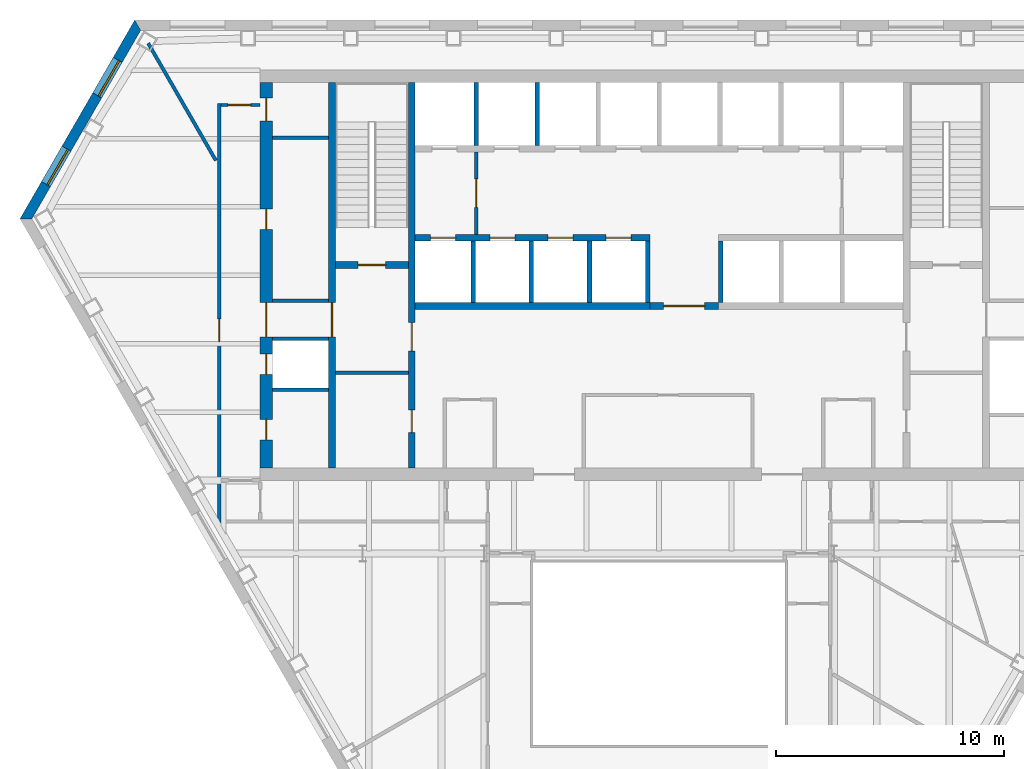
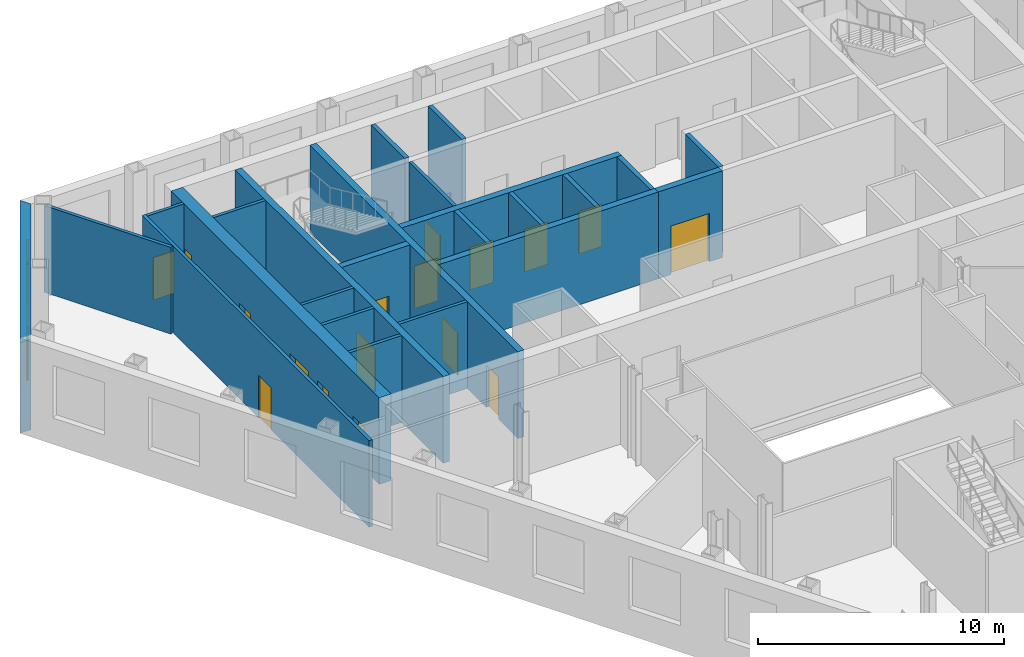
# One storey, part 6 of 11: 24 walls, 17 doors, 2 windows, 19 openings.
"""IFC4 building model written with IfcOpenShell, lengths in metres."""

from ifc_helpers import new_model, si_unit, direction, frame, frame_2d, origin, place, context, subcontext, project, spatial, polyline, rectangle, outline, extrude, material, layer, layer_set, type_object, element, fill, save


model = new_model("IFC4")

# Units and contexts
model_context = context("Model", 3, precision=1e-05, world=origin(), true_north=direction((0.0, 1.0)))
body_context = subcontext(model_context, "Body", "Model", "MODEL_VIEW")
ifc_project = project(units=[si_unit("LENGTHUNIT", "METRE"), si_unit("AREAUNIT", "SQUARE_METRE"), si_unit("VOLUMEUNIT", "CUBIC_METRE"), si_unit("PLANEANGLEUNIT", "RADIAN"), si_unit("MASSUNIT", "GRAM", prefix="KILO")], contexts=[model_context])

# Site, building, storey
site_placement = place(None, origin())
site = spatial("IfcSite", under=ifc_project, at=site_placement, CompositionType="ELEMENT")
building_placement = place(site_placement, origin())
building = spatial("IfcBuilding", under=site, at=building_placement, Name="Njiva Tower", CompositionType="ELEMENT")
storey_placement = place(building_placement, frame((0.0, 0.0, 106.8)))
storey = spatial("IfcBuildingStorey", under=building, at=storey_placement, Name="L22", CompositionType="ELEMENT", Elevation=106.8)

# Walls
ifc_material_1 = material(Name="Blockwork", Category="masonry")
ifc_layer_1 = layer(ifc_material_1, 0.15)
ifc_layer_set_1 = layer_set([ifc_layer_1], Name="Blockwork")
wall_type_1 = type_object("IfcWallType", Name="WT1 Compartment partition 150", PredefinedType="PARTITIONING", material=ifc_layer_set_1)
wall_1_placement = place(storey_placement, frame((-14.2, 4.725, 0.0), z_axis=(0.0, 0.0, 1.0), x_axis=(1.0, 0.0, 0.0)))
element("IfcWall", 1, at=wall_1_placement, inside=storey, type_object=wall_type_1, Name="Room wall A", PredefinedType="PARTITIONING", context=body_context, shape_type="SweptSolid", body=[
    extrude(rectangle(XDim=3.2, YDim=0.15, at=frame_2d((1.6, 0.0))), origin(), (0.0, 0.0, 1.0), 4.3),
])
wall_2_placement = place(storey_placement, frame((-16.95, 15.0294, 0.0), z_axis=(0.0, 0.0, 1.0), x_axis=(1.0, 0.0, 0.0)))
element("IfcWall", 2, at=wall_2_placement, inside=storey, type_object=wall_type_1, Name="Partition strip W10", PredefinedType="PARTITIONING", context=body_context, shape_type="SweptSolid", body=[
    extrude(rectangle(XDim=2.45, YDim=0.15, at=frame_2d((1.225, 0.0))), origin(), (0.0, 0.0, 1.0), 4.3),
])

# Wall, openings, doors
ifc_material_2 = material(Name="Concrete C40/50", Category="concrete")
ifc_layer_2 = layer(ifc_material_2, 0.3)
ifc_layer_set_2 = layer_set([ifc_layer_2], Name="Concrete C40/50")
wall_type_2 = type_object("IfcWallType", Name="WT10 Stair enclosure wall 300", PredefinedType="SHEAR", material=ifc_layer_set_2)
wall_3_placement = place(storey_placement, frame((-10.85, 0.55, 0.0), z_axis=(0.0, 0.0, 1.0), x_axis=(0.0, 1.0, 0.0)))
wall_3 = element("IfcWall", 3, at=wall_3_placement, inside=storey, type_object=wall_type_2, Name="Stair wall west inner", PredefinedType="SHEAR", context=body_context, shape_type="SweptSolid", body=[
    extrude(rectangle(XDim=16.9, YDim=0.3, at=frame_2d((8.45, 0.0))), origin(), (0.0, 0.0, 1.0), 4.3),
])
opening_1_placement = place(wall_3_placement, frame((5.125, 0.0, 0.0)))
opening_1 = element("IfcOpeningElement", 4, at=opening_1_placement, cuts=wall_3, Name="Opening S07-D914", PredefinedType="OPENING", context=body_context, shape_type="SweptSolid", body=[
    extrude(rectangle(XDim=1.25, YDim=2.1, at=frame_2d((0.625, 1.05))), frame((0.0, 0.16, 0.0), z_axis=(0.0, -1.0, 0.0), x_axis=(1.0, 0.0, 0.0)), (0.0, 0.0, 1.0), 0.32),
])
opening_2_placement = place(wall_3_placement, frame((1.55, 0.0, 0.0)))
opening_2 = element("IfcOpeningElement", 5, at=opening_2_placement, cuts=wall_3, Name="Opening S07-D915", PredefinedType="OPENING", context=body_context, shape_type="SweptSolid", body=[
    extrude(rectangle(XDim=1.0, YDim=2.1, at=frame_2d((0.5, 1.05))), frame((0.0, 0.16, 0.0), z_axis=(0.0, -1.0, 0.0), x_axis=(1.0, 0.0, 0.0)), (0.0, 0.0, 1.0), 0.32),
])
ifc_material_3 = material(Name="Steel door, painted", Category="steel")
door_type_1 = type_object("IfcDoorType", Name="D5 Steel door 1000x2100", OperationType="SINGLE_SWING_LEFT", PredefinedType="DOOR", material=ifc_material_3)
door_1_placement = place(opening_2_placement, origin())
door_1 = element("IfcDoor", 6, at=door_1_placement, inside=storey, type_object=door_type_1, Name="Meeting room door", OperationType="SINGLE_SWING_RIGHT", OverallHeight=2.1, OverallWidth=1.0, PredefinedType="DOOR", context=body_context, shape_type="SweptSolid", body=[
    extrude(rectangle(XDim=1.0, YDim=2.1, at=frame_2d((0.5, 1.05))), frame((0.0, 0.025, 0.0), z_axis=(0.0, -1.0, 0.0), x_axis=(1.0, 0.0, 0.0)), (0.0, 0.0, 1.0), 0.05),
])
fill(opening_2, door_1)
ifc_material_4 = material(Name="Glazed steel fire door", Category="steel")
door_type_2 = type_object("IfcDoorType", Name="D8 Vestibule corridor door 1250x2100 glazed", OperationType="SINGLE_SWING_LEFT", PredefinedType="DOOR", material=ifc_material_4)
door_2_placement = place(opening_1_placement, origin())
door_2 = element("IfcDoor", 7, at=door_2_placement, inside=storey, type_object=door_type_2, Name="Stair vestibule corridor door", OperationType="SINGLE_SWING_LEFT", OverallHeight=2.1, OverallWidth=1.25, PredefinedType="DOOR", context=body_context, shape_type="SweptSolid", body=[
    extrude(rectangle(XDim=1.25, YDim=2.1, at=frame_2d((0.625, 1.05))), frame((0.0, 0.025, 0.0), z_axis=(0.0, -1.0, 0.0), x_axis=(1.0, 0.0, 0.0)), (0.0, 0.0, 1.0), 0.05),
])
fill(opening_1, door_2)

# Wall, opening, door
wall_4_placement = place(storey_placement, frame((-14.35, 0.55, 0.0), z_axis=(0.0, 0.0, 1.0), x_axis=(0.0, 1.0, 0.0)))
wall_4 = element("IfcWall", 8, at=wall_4_placement, inside=storey, type_object=wall_type_2, Name="Stair wall west outer", PredefinedType="SHEAR", context=body_context, shape_type="SweptSolid", body=[
    extrude(rectangle(XDim=16.9, YDim=0.3, at=frame_2d((8.45, 0.0))), origin(), (0.0, 0.0, 1.0), 4.3),
])
opening_3_placement = place(wall_4_placement, frame((5.75, 0.0, 0.0)))
opening_3 = element("IfcOpeningElement", 9, at=opening_3_placement, cuts=wall_4, Name="Opening S07-D920", PredefinedType="OPENING", context=body_context, shape_type="SweptSolid", body=[
    extrude(rectangle(XDim=1.5, YDim=2.1, at=frame_2d((0.75, 1.05))), frame((0.0, 0.16, 0.0), z_axis=(0.0, -1.0, 0.0), x_axis=(1.0, 0.0, 0.0)), (0.0, 0.0, 1.0), 0.32),
])
door_type_3 = type_object("IfcDoorType", Name="D10 Exit door double 1500x2100 glazed", OperationType="DOUBLE_DOOR_SINGLE_SWING", PredefinedType="DOOR", material=ifc_material_4)
door_3_placement = place(opening_3_placement, origin())
door_3 = element("IfcDoor", 10, at=door_3_placement, inside=storey, type_object=door_type_3, Name="Stair A passage door", OperationType="DOUBLE_DOOR_SINGLE_SWING", OverallHeight=2.1, OverallWidth=1.5, PredefinedType="DOOR", context=body_context, shape_type="SweptSolid", body=[
    extrude(rectangle(XDim=1.5, YDim=2.1, at=frame_2d((0.75, 1.05))), frame((0.0, 0.025, 0.0), z_axis=(0.0, -1.0, 0.0), x_axis=(1.0, 0.0, 0.0)), (0.0, 0.0, 1.0), 0.05),
])
fill(opening_3, door_3)

wall_5_placement = place(storey_placement, frame((-14.2, 9.45, 0.0), z_axis=(0.0, 0.0, 1.0), x_axis=(1.0, 0.0, 0.0)))
wall_5 = element("IfcWall", 11, at=wall_5_placement, inside=storey, type_object=wall_type_2, Name="Stair A south wall", PredefinedType="SHEAR", context=body_context, shape_type="SweptSolid", body=[
    extrude(rectangle(XDim=3.2, YDim=0.3, at=frame_2d((1.6, 0.0))), origin(), (0.0, 0.0, 1.0), 4.3),
])
opening_4_placement = place(wall_5_placement, frame((1.0, 0.0, 0.0)))
opening_4 = element("IfcOpeningElement", 12, at=opening_4_placement, cuts=wall_5, Name="Opening S07-D913", PredefinedType="OPENING", context=body_context, shape_type="SweptSolid", body=[
    extrude(rectangle(XDim=1.2, YDim=2.1, at=frame_2d((0.6, 1.05))), frame((0.0, 0.16, 0.0), z_axis=(0.0, -1.0, 0.0), x_axis=(1.0, 0.0, 0.0)), (0.0, 0.0, 1.0), 0.32),
])
door_type_4 = type_object("IfcDoorType", Name="D7 Stair vestibule door 1200x2100 glazed", OperationType="SINGLE_SWING_LEFT", PredefinedType="DOOR", material=ifc_material_4)
door_4_placement = place(opening_4_placement, origin())
door_4 = element("IfcDoor", 13, at=door_4_placement, inside=storey, type_object=door_type_4, Name="Stair A door", OperationType="SINGLE_SWING_LEFT", OverallHeight=2.1, OverallWidth=1.2, PredefinedType="DOOR", context=body_context, shape_type="SweptSolid", body=[
    extrude(rectangle(XDim=1.2, YDim=2.1, at=frame_2d((0.6, 1.05))), frame((0.0, 0.025, 0.0), z_axis=(0.0, -1.0, 0.0), x_axis=(1.0, 0.0, 0.0)), (0.0, 0.0, 1.0), 0.05),
])
fill(opening_4, door_4)

# Wall, openings, doors
ifc_material_5 = material(Name="Concrete C60/75", Category="concrete")
ifc_layer_3 = layer(ifc_material_5, 0.55)
ifc_layer_set_3 = layer_set([ifc_layer_3], Name="Concrete C60/75")
wall_type_3 = type_object("IfcWallType", Name="WT14 Core wall 550", PredefinedType="SHEAR", material=ifc_layer_set_3)
wall_6_placement = place(storey_placement, frame((-17.225, 0.55, 0.0), z_axis=(0.0, 0.0, 1.0), x_axis=(0.0, 1.0, 0.0)))
wall_6 = element("IfcWall", 14, at=wall_6_placement, inside=storey, type_object=wall_type_3, Name="Core wall west", PredefinedType="SHEAR", context=body_context, shape_type="SweptSolid", body=[
    extrude(rectangle(XDim=16.9, YDim=0.55, at=frame_2d((8.45, 0.0))), origin(), (0.0, 0.0, 1.0), 4.3),
])
opening_5_placement = place(wall_6_placement, frame((5.75, 0.0, 0.0)))
opening_5 = element("IfcOpeningElement", 15, at=opening_5_placement, cuts=wall_6, Name="Opening S07-D921", PredefinedType="OPENING", context=body_context, shape_type="SweptSolid", body=[
    extrude(rectangle(XDim=1.5, YDim=2.1, at=frame_2d((0.75, 1.05))), frame((0.0, 0.285, 0.0), z_axis=(0.0, -1.0, 0.0), x_axis=(1.0, 0.0, 0.0)), (0.0, 0.0, 1.0), 0.57),
])
opening_6_placement = place(wall_6_placement, frame((1.2299, 0.0, 0.0)))
opening_6 = element("IfcOpeningElement", 16, at=opening_6_placement, cuts=wall_6, Name="Opening S07-D922", PredefinedType="OPENING", context=body_context, shape_type="SweptSolid", body=[
    extrude(rectangle(XDim=0.9, YDim=2.1, at=frame_2d((0.45, 1.05))), frame((0.0, 0.285, 0.0), z_axis=(0.0, -1.0, 0.0), x_axis=(1.0, 0.0, 0.0)), (0.0, 0.0, 1.0), 0.57),
])
opening_7_placement = place(wall_6_placement, frame((4.1049, 0.0, 0.0)))
opening_7 = element("IfcOpeningElement", 17, at=opening_7_placement, cuts=wall_6, Name="Opening S07-D923", PredefinedType="OPENING", context=body_context, shape_type="SweptSolid", body=[
    extrude(rectangle(XDim=0.9, YDim=2.1, at=frame_2d((0.45, 1.05))), frame((0.0, 0.285, 0.0), z_axis=(0.0, -1.0, 0.0), x_axis=(1.0, 0.0, 0.0)), (0.0, 0.0, 1.0), 0.57),
])
opening_8_placement = place(wall_6_placement, frame((10.4522, 0.0, 0.0)))
opening_8 = element("IfcOpeningElement", 18, at=opening_8_placement, cuts=wall_6, Name="Opening S07-D924", PredefinedType="OPENING", context=body_context, shape_type="SweptSolid", body=[
    extrude(rectangle(XDim=0.9, YDim=2.1, at=frame_2d((0.45, 1.05))), frame((0.0, 0.285, 0.0), z_axis=(0.0, -1.0, 0.0), x_axis=(1.0, 0.0, 0.0)), (0.0, 0.0, 1.0), 0.57),
])
opening_9_placement = place(wall_6_placement, frame((15.2272, 0.0, 0.0)))
opening_9 = element("IfcOpeningElement", 19, at=opening_9_placement, cuts=wall_6, Name="Opening S07-D925", PredefinedType="OPENING", context=body_context, shape_type="SweptSolid", body=[
    extrude(rectangle(XDim=1.0, YDim=2.1, at=frame_2d((0.5, 1.05))), frame((0.0, 0.285, 0.0), z_axis=(0.0, -1.0, 0.0), x_axis=(1.0, 0.0, 0.0)), (0.0, 0.0, 1.0), 0.57),
])
door_5_placement = place(opening_5_placement, origin())
door_5 = element("IfcDoor", 20, at=door_5_placement, inside=storey, type_object=door_type_3, Name="Stair A corridor door", OperationType="DOUBLE_DOOR_SINGLE_SWING", OverallHeight=2.1, OverallWidth=1.5, PredefinedType="DOOR", context=body_context, shape_type="SweptSolid", body=[
    extrude(rectangle(XDim=1.5, YDim=2.1, at=frame_2d((0.75, 1.05))), frame((0.0, 0.025, 0.0), z_axis=(0.0, -1.0, 0.0), x_axis=(1.0, 0.0, 0.0)), (0.0, 0.0, 1.0), 0.05),
])
fill(opening_5, door_5)
door_type_5 = type_object("IfcDoorType", Name="D4 Riser door 900x2100", OperationType="SINGLE_SWING_LEFT", PredefinedType="DOOR", material=ifc_material_3)
door_6_placement = place(opening_7_placement, origin())
door_6 = element("IfcDoor", 21, at=door_6_placement, inside=storey, type_object=door_type_5, Name="Riser door", OperationType="SINGLE_SWING_RIGHT", OverallHeight=2.1, OverallWidth=0.9, PredefinedType="DOOR", context=body_context, shape_type="SweptSolid", body=[
    extrude(rectangle(XDim=0.9, YDim=2.1, at=frame_2d((0.45, 1.05))), frame((0.0, 0.025, 0.0), z_axis=(0.0, -1.0, 0.0), x_axis=(1.0, 0.0, 0.0)), (0.0, 0.0, 1.0), 0.05),
])
fill(opening_7, door_6)
door_7_placement = place(opening_9_placement, origin())
door_7 = element("IfcDoor", 22, at=door_7_placement, inside=storey, type_object=door_type_1, Name="Electrical room door", OperationType="SINGLE_SWING_RIGHT", OverallHeight=2.1, OverallWidth=1.0, PredefinedType="DOOR", context=body_context, shape_type="SweptSolid", body=[
    extrude(rectangle(XDim=1.0, YDim=2.1, at=frame_2d((0.5, 1.05))), frame((0.0, 0.025, 0.0), z_axis=(0.0, -1.0, 0.0), x_axis=(1.0, 0.0, 0.0)), (0.0, 0.0, 1.0), 0.05),
])
fill(opening_9, door_7)
ifc_material_6 = material(Name="Steel fire door, painted", Category="steel")
door_type_6 = type_object("IfcDoorType", Name="D6 Fire-rated door 900x2100", OperationType="SINGLE_SWING_LEFT", PredefinedType="DOOR", material=ifc_material_6)
door_8_placement = place(opening_6_placement, origin())
door_8 = element("IfcDoor", 23, at=door_8_placement, inside=storey, type_object=door_type_6, Name="Business centre door", OperationType="SINGLE_SWING_LEFT", OverallHeight=2.1, OverallWidth=0.9, PredefinedType="DOOR", context=body_context, shape_type="SweptSolid", body=[
    extrude(rectangle(XDim=0.9, YDim=2.1, at=frame_2d((0.45, 1.05))), frame((0.0, 0.025, 0.0), z_axis=(0.0, -1.0, 0.0), x_axis=(1.0, 0.0, 0.0)), (0.0, 0.0, 1.0), 0.05),
])
fill(opening_6, door_8)
door_9_placement = place(opening_8_placement, origin())
door_9 = element("IfcDoor", 24, at=door_9_placement, inside=storey, type_object=door_type_6, Name="Meeting room door", OperationType="SINGLE_SWING_RIGHT", OverallHeight=2.1, OverallWidth=0.9, PredefinedType="DOOR", context=body_context, shape_type="SweptSolid", body=[
    extrude(rectangle(XDim=0.9, YDim=2.1, at=frame_2d((0.45, 1.05))), frame((0.0, 0.025, 0.0), z_axis=(0.0, -1.0, 0.0), x_axis=(1.0, 0.0, 0.0)), (0.0, 0.0, 1.0), 0.05),
])
fill(opening_8, door_9)

# Wall, opening, door
ifc_layer_4 = layer(ifc_material_1, 0.15)
ifc_layer_set_4 = layer_set([ifc_layer_4], Name="Blockwork")
wall_type_4 = type_object("IfcWallType", Name="WT2 Lobby partition 150", PredefinedType="PARTITIONING", material=ifc_layer_set_4)
wall_7_placement = place(storey_placement, frame((-8.025, 10.8, 0.0), z_axis=(0.0, 0.0, 1.0), x_axis=(0.0, 1.0, 0.0)))
wall_7 = element("IfcWall", 25, at=wall_7_placement, inside=storey, type_object=wall_type_4, Name="Firefighting lobby wall A", PredefinedType="PARTITIONING", context=body_context, shape_type="SweptSolid", body=[
    extrude(rectangle(XDim=3.6, YDim=0.15, at=frame_2d((1.8, 0.0))), origin(), (0.0, 0.0, 1.0), 4.3),
])
opening_10_placement = place(wall_7_placement, frame((1.175, 0.0, 0.0)))
opening_10 = element("IfcOpeningElement", 26, at=opening_10_placement, cuts=wall_7, Name="Opening S07-D912", PredefinedType="OPENING", context=body_context, shape_type="SweptSolid", body=[
    extrude(rectangle(XDim=1.25, YDim=2.1, at=frame_2d((0.625, 1.05))), frame((0.0, 0.085, 0.0), z_axis=(0.0, -1.0, 0.0), x_axis=(1.0, 0.0, 0.0)), (0.0, 0.0, 1.0), 0.17),
])
door_10_placement = place(opening_10_placement, origin())
door_10 = element("IfcDoor", 27, at=door_10_placement, inside=storey, type_object=door_type_2, Name="Stair vestibule corridor door", OperationType="SINGLE_SWING_RIGHT", OverallHeight=2.1, OverallWidth=1.25, PredefinedType="DOOR", context=body_context, shape_type="SweptSolid", body=[
    extrude(rectangle(XDim=1.25, YDim=2.1, at=frame_2d((0.625, 1.05))), frame((0.0, 0.025, 0.0), z_axis=(0.0, -1.0, 0.0), x_axis=(1.0, 0.0, 0.0)), (0.0, 0.0, 1.0), 0.05),
])
fill(opening_10, door_10)

# Wall
ifc_material_7 = material(Name="Gypsum board on steel studs", Category="gypsum")
ifc_layer_5 = layer(ifc_material_7, 0.15)
ifc_layer_set_5 = layer_set([ifc_layer_5], Name="Gypsum board on steel studs")
wall_type_5 = type_object("IfcWallType", Name="WT21 Compartment wall 150", PredefinedType="PARTITIONING", material=ifc_layer_set_5)
wall_8_placement = place(storey_placement, frame((-22.411, 19.18, 0.0), z_axis=(0.0, 0.0, 1.0), x_axis=(0.499921522108, -0.866070708276, 0.0)))
element("IfcWall", 28, at=wall_8_placement, inside=storey, type_object=wall_type_5, Name="Partition S07-P001", PredefinedType="PARTITIONING", context=body_context, shape_type="SweptSolid", body=[
    extrude(rectangle(XDim=5.9429, YDim=0.15, at=frame_2d((2.9714, 0.0))), origin(), (0.0, 0.0, 1.0), 4.3),
])

# Wall, opening, door
wall_9_placement = place(storey_placement, frame((-19.3, -1.875, 0.0), z_axis=(0.0, 0.0, 1.0), x_axis=(0.0, 1.0, 0.0)))
wall_9 = element("IfcWall", 29, at=wall_9_placement, inside=storey, type_object=wall_type_5, Name="Partition S07-P002", PredefinedType="PARTITIONING", context=body_context, shape_type="SweptSolid", body=[
    extrude(rectangle(XDim=18.422, YDim=0.15, at=frame_2d((9.211, 0.0))), origin(), (0.0, 0.0, 1.0), 4.3),
])
opening_11_placement = place(wall_9_placement, frame((7.964, 0.0, 0.0)))
opening_11 = element("IfcOpeningElement", 30, at=opening_11_placement, cuts=wall_9, Name="Opening S07-D001", PredefinedType="OPENING", context=body_context, shape_type="SweptSolid", body=[
    extrude(rectangle(XDim=1.0, YDim=2.1, at=frame_2d((0.5, 1.05))), frame((0.0, 0.085, 0.0), z_axis=(0.0, -1.0, 0.0), x_axis=(1.0, 0.0, 0.0)), (0.0, 0.0, 1.0), 0.17),
])
ifc_material_8 = material(Name="Steel fire door set", Category="steel")
door_type_7 = type_object("IfcDoorType", Name="D37 Fire door 1000x2100", OperationType="SINGLE_SWING_LEFT", PredefinedType="DOOR", material=ifc_material_8)
door_11_placement = place(opening_11_placement, origin())
door_11 = element("IfcDoor", 31, at=door_11_placement, inside=storey, type_object=door_type_7, Name="Door S07-D001", OperationType="SINGLE_SWING_RIGHT", OverallHeight=2.1, OverallWidth=1.0, PredefinedType="DOOR", context=body_context, shape_type="SweptSolid", body=[
    extrude(rectangle(XDim=1.0, YDim=2.1, at=frame_2d((0.5, 1.05))), frame((0.0, 0.025, 0.0), z_axis=(0.0, -1.0, 0.0), x_axis=(1.0, 0.0, 0.0)), (0.0, 0.0, 1.0), 0.05),
])
fill(opening_11, door_11)

wall_10_placement = place(storey_placement, frame((-19.225, 16.472, 0.0), z_axis=(0.0, 0.0, 1.0), x_axis=(1.0, 0.0, 0.0)))
wall_10 = element("IfcWall", 32, at=wall_10_placement, inside=storey, type_object=wall_type_5, Name="Partition S07-P005", PredefinedType="PARTITIONING", context=body_context, shape_type="SweptSolid", body=[
    extrude(rectangle(XDim=1.725, YDim=0.15, at=frame_2d((0.8625, 0.0))), origin(), (0.0, 0.0, 1.0), 4.3),
])
opening_12_placement = place(wall_10_placement, frame((0.308, 0.0, 0.0)))
opening_12 = element("IfcOpeningElement", 33, at=opening_12_placement, cuts=wall_10, Name="Opening S07-D003", PredefinedType="OPENING", context=body_context, shape_type="SweptSolid", body=[
    extrude(rectangle(XDim=1.0, YDim=2.1, at=frame_2d((0.5, 1.05))), frame((0.0, 0.085, 0.0), z_axis=(0.0, -1.0, 0.0), x_axis=(1.0, 0.0, 0.0)), (0.0, 0.0, 1.0), 0.17),
])
door_12_placement = place(opening_12_placement, origin())
door_12 = element("IfcDoor", 34, at=door_12_placement, inside=storey, type_object=door_type_7, Name="Door S07-D003", OperationType="SINGLE_SWING_RIGHT", OverallHeight=2.1, OverallWidth=1.0, PredefinedType="DOOR", context=body_context, shape_type="SweptSolid", body=[
    extrude(rectangle(XDim=1.0, YDim=2.1, at=frame_2d((0.5, 1.05))), frame((0.0, 0.025, 0.0), z_axis=(0.0, -1.0, 0.0), x_axis=(1.0, 0.0, 0.0)), (0.0, 0.0, 1.0), 0.05),
])
fill(opening_12, door_12)

# Walls
ifc_layer_6 = layer(ifc_material_1, 0.15)
ifc_layer_set_6 = layer_set([ifc_layer_6], Name="Blockwork")
wall_type_6 = type_object("IfcWallType", Name="WT3 Riser partition 150", PredefinedType="PARTITIONING", material=ifc_layer_set_6)
wall_11_placement = place(storey_placement, frame((-16.95, 3.9848, 0.0), z_axis=(0.0, 0.0, 1.0), x_axis=(1.0, 0.0, 0.0)))
element("IfcWall", 35, at=wall_11_placement, inside=storey, type_object=wall_type_6, Name="Partition strip W00", PredefinedType="PARTITIONING", context=body_context, shape_type="SweptSolid", body=[
    extrude(rectangle(XDim=2.45, YDim=0.15, at=frame_2d((1.225, 0.0))), origin(), (0.0, 0.0, 1.0), 4.3),
])
ifc_layer_7 = layer(ifc_material_1, 0.15)
ifc_layer_set_7 = layer_set([ifc_layer_7], Name="Blockwork")
wall_type_7 = type_object("IfcWallType", Name="WT4 Stair partition 150", PredefinedType="PARTITIONING", material=ifc_layer_set_7)
for number, where, z_axis, x_axis, name in (
    (36, (-16.95, 6.225, 0.0), (0.0, 0.0, 1.0), (1.0, 0.0, 0.0), "Stair A exit passage wall south"),
    (37, (-16.95, 7.875, 0.0), (0.0, 0.0, 1.0), (1.0, 0.0, 0.0), "Stair A exit passage wall north"),
):
    element("IfcWall", number, at=place(storey_placement, frame(where, z_axis=z_axis, x_axis=x_axis)), inside=storey, type_object=wall_type_7, Name=name, PredefinedType="PARTITIONING", context=body_context, shape_type="SweptSolid", body=[
        extrude(rectangle(XDim=2.45, YDim=0.15, at=frame_2d((1.225, 0.0))), origin(), (0.0, 0.0, 1.0), 4.3),
    ])

# Wall, opening, door
ifc_layer_8 = layer(ifc_material_1, 0.3)
ifc_layer_set_8 = layer_set([ifc_layer_8], Name="Blockwork")
wall_type_8 = type_object("IfcWallType", Name="WT5 Lobby partition 300", PredefinedType="PARTITIONING", material=ifc_layer_set_8)
wall_12_placement = place(storey_placement, frame((-0.4, 7.65, 0.0), z_axis=(0.0, 0.0, 1.0), x_axis=(1.0, 0.0, 0.0)))
wall_12 = element("IfcWall", 38, at=wall_12_placement, inside=storey, type_object=wall_type_8, Name="Lift lobby screen wall", PredefinedType="PARTITIONING", context=body_context, shape_type="SweptSolid", body=[
    extrude(rectangle(XDim=3.0, YDim=0.3, at=frame_2d((1.5, 0.0))), origin(), (0.0, 0.0, 1.0), 4.3),
])
opening_13_placement = place(wall_12_placement, frame((0.6, 0.0, 0.0)))
opening_13 = element("IfcOpeningElement", 39, at=opening_13_placement, cuts=wall_12, Name="Opening S07-D935", PredefinedType="OPENING", context=body_context, shape_type="SweptSolid", body=[
    extrude(rectangle(XDim=1.8, YDim=2.4, at=frame_2d((0.9, 1.2))), frame((0.0, 0.16, 0.0), z_axis=(0.0, -1.0, 0.0), x_axis=(1.0, 0.0, 0.0)), (0.0, 0.0, 1.0), 0.32),
])
ifc_material_9 = material(Name="Steel and glass door", Category="steel")
door_type_8 = type_object("IfcDoorType", Name="D3 Core entrance door 1800x2400", OperationType="DOUBLE_DOOR_SINGLE_SWING", PredefinedType="DOOR", material=ifc_material_9)
door_13_placement = place(opening_13_placement, origin())
door_13 = element("IfcDoor", 40, at=door_13_placement, inside=storey, type_object=door_type_8, Name="Core entrance door", OperationType="DOUBLE_DOOR_SINGLE_SWING", OverallHeight=2.4, OverallWidth=1.8, PredefinedType="DOOR", context=body_context, shape_type="SweptSolid", body=[
    extrude(rectangle(XDim=1.8, YDim=2.4, at=frame_2d((0.9, 1.2))), frame((0.0, 0.025, 0.0), z_axis=(0.0, -1.0, 0.0), x_axis=(1.0, 0.0, 0.0)), (0.0, 0.0, 1.0), 0.05),
])
fill(opening_13, door_13)

# Walls
ifc_layer_9 = layer(ifc_material_2, 0.2)
ifc_layer_set_9 = layer_set([ifc_layer_9], Name="Concrete C40/50")
wall_type_9 = type_object("IfcWallType", Name="WT6 Lift shaft wall 200", PredefinedType="SHEAR", material=ifc_layer_set_9)
for number, where, z_axis, x_axis, name in (
    (41, (-8.025, 14.7, 0.0), (0.0, 0.0, 1.0), (0.0, 1.0, 0.0), "Shaft wall CN1"),
    (42, (-5.35, 14.7, 0.0), (0.0, 0.0, 1.0), (0.0, 1.0, 0.0), "Shaft wall CN2"),
):
    element("IfcWall", number, at=place(storey_placement, frame(where, z_axis=z_axis, x_axis=x_axis)), inside=storey, type_object=wall_type_9, Name=name, PredefinedType="SHEAR", context=body_context, shape_type="SweptSolid", body=[
        extrude(rectangle(XDim=2.75, YDim=0.2, at=frame_2d((1.375, 0.0))), origin(), (0.0, 0.0, 1.0), 4.3),
    ])
for number, where, z_axis, x_axis, name in (
    (43, (-8.15, 7.8, 0.0), (0.0, 0.0, 1.0), (0.0, 1.0, 0.0), "Shaft wall CS1"),
    (44, (-5.6, 7.8, 0.0), (0.0, 0.0, 1.0), (0.0, 1.0, 0.0), "Shaft wall CS2"),
    (45, (-3.05, 7.8, 0.0), (0.0, 0.0, 1.0), (0.0, 1.0, 0.0), "Shaft wall CS3"),
    (46, (-0.5, 7.8, 0.0), (0.0, 0.0, 1.0), (0.0, 1.0, 0.0), "Shaft wall CS4"),
    (47, (2.7, 7.8, 0.0), (0.0, 0.0, 1.0), (0.0, 1.0, 0.0), "Shaft wall CS5"),
):
    element("IfcWall", number, at=place(storey_placement, frame(where, z_axis=z_axis, x_axis=x_axis)), inside=storey, type_object=wall_type_9, Name=name, PredefinedType="SHEAR", context=body_context, shape_type="SweptSolid", body=[
        extrude(rectangle(XDim=2.7, YDim=0.2, at=frame_2d((1.35, 0.0))), origin(), (0.0, 0.0, 1.0), 4.3),
    ])

# Wall, openings, doors
ifc_layer_10 = layer(ifc_material_2, 0.3)
ifc_layer_set_10 = layer_set([ifc_layer_10], Name="Concrete C40/50")
wall_type_10 = type_object("IfcWallType", Name="WT7 Lift shaft wall 300", PredefinedType="SHEAR", material=ifc_layer_set_10)
wall_13_placement = place(storey_placement, frame((-10.7, 10.65, 0.0), z_axis=(0.0, 0.0, 1.0), x_axis=(1.0, 0.0, 0.0)))
wall_13 = element("IfcWall", 48, at=wall_13_placement, inside=storey, type_object=wall_type_10, Name="Shaft wall south row lobby side W", PredefinedType="SHEAR", context=body_context, shape_type="SweptSolid", body=[
    extrude(rectangle(XDim=10.3, YDim=0.3, at=frame_2d((5.15, 0.0))), origin(), (0.0, 0.0, 1.0), 4.3),
])
opening_14_placement = place(wall_13_placement, frame((0.675, 0.0, 0.0)))
opening_14 = element("IfcOpeningElement", 49, at=opening_14_placement, cuts=wall_13, Name="Opening S07-D908", PredefinedType="OPENING", context=body_context, shape_type="SweptSolid", body=[
    extrude(rectangle(XDim=1.1, YDim=2.1, at=frame_2d((0.55, 1.05))), frame((0.0, 0.16, 0.0), z_axis=(0.0, -1.0, 0.0), x_axis=(1.0, 0.0, 0.0)), (0.0, 0.0, 1.0), 0.32),
])
opening_15_placement = place(wall_13_placement, frame((3.275, 0.0, 0.0)))
opening_15 = element("IfcOpeningElement", 50, at=opening_15_placement, cuts=wall_13, Name="Opening S07-D909", PredefinedType="OPENING", context=body_context, shape_type="SweptSolid", body=[
    extrude(rectangle(XDim=1.1, YDim=2.1, at=frame_2d((0.55, 1.05))), frame((0.0, 0.16, 0.0), z_axis=(0.0, -1.0, 0.0), x_axis=(1.0, 0.0, 0.0)), (0.0, 0.0, 1.0), 0.32),
])
opening_16_placement = place(wall_13_placement, frame((5.825, 0.0, 0.0)))
opening_16 = element("IfcOpeningElement", 51, at=opening_16_placement, cuts=wall_13, Name="Opening S07-D910", PredefinedType="OPENING", context=body_context, shape_type="SweptSolid", body=[
    extrude(rectangle(XDim=1.1, YDim=2.1, at=frame_2d((0.55, 1.05))), frame((0.0, 0.16, 0.0), z_axis=(0.0, -1.0, 0.0), x_axis=(1.0, 0.0, 0.0)), (0.0, 0.0, 1.0), 0.32),
])
opening_17_placement = place(wall_13_placement, frame((8.375, 0.0, 0.0)))
opening_17 = element("IfcOpeningElement", 52, at=opening_17_placement, cuts=wall_13, Name="Opening S07-D911", PredefinedType="OPENING", context=body_context, shape_type="SweptSolid", body=[
    extrude(rectangle(XDim=1.1, YDim=2.1, at=frame_2d((0.55, 1.05))), frame((0.0, 0.16, 0.0), z_axis=(0.0, -1.0, 0.0), x_axis=(1.0, 0.0, 0.0)), (0.0, 0.0, 1.0), 0.32),
])
ifc_material_10 = material(Name="Stainless steel sliding door", Category="steel")
door_type_9 = type_object("IfcDoorType", Name="LD Lift landing door 1100x2100", OperationType="SLIDING_TO_LEFT", PredefinedType="DOOR", material=ifc_material_10)
door_14_placement = place(opening_14_placement, origin())
door_14 = element("IfcDoor", 53, at=door_14_placement, inside=storey, type_object=door_type_9, Name="Lift landing door LB4", OperationType="SLIDING_TO_LEFT", OverallHeight=2.1, OverallWidth=1.1, PredefinedType="DOOR", context=body_context, shape_type="SweptSolid", body=[
    extrude(rectangle(XDim=1.1, YDim=2.1, at=frame_2d((0.55, 1.05))), frame((0.0, 0.025, 0.0), z_axis=(0.0, -1.0, 0.0), x_axis=(1.0, 0.0, 0.0)), (0.0, 0.0, 1.0), 0.05),
])
fill(opening_14, door_14)
door_15_placement = place(opening_15_placement, origin())
door_15 = element("IfcDoor", 54, at=door_15_placement, inside=storey, type_object=door_type_9, Name="Lift landing door LB5", OperationType="SLIDING_TO_LEFT", OverallHeight=2.1, OverallWidth=1.1, PredefinedType="DOOR", context=body_context, shape_type="SweptSolid", body=[
    extrude(rectangle(XDim=1.1, YDim=2.1, at=frame_2d((0.55, 1.05))), frame((0.0, 0.025, 0.0), z_axis=(0.0, -1.0, 0.0), x_axis=(1.0, 0.0, 0.0)), (0.0, 0.0, 1.0), 0.05),
])
fill(opening_15, door_15)
door_16_placement = place(opening_16_placement, origin())
door_16 = element("IfcDoor", 55, at=door_16_placement, inside=storey, type_object=door_type_9, Name="Lift landing door LB6", OperationType="SLIDING_TO_LEFT", OverallHeight=2.1, OverallWidth=1.1, PredefinedType="DOOR", context=body_context, shape_type="SweptSolid", body=[
    extrude(rectangle(XDim=1.1, YDim=2.1, at=frame_2d((0.55, 1.05))), frame((0.0, 0.025, 0.0), z_axis=(0.0, -1.0, 0.0), x_axis=(1.0, 0.0, 0.0)), (0.0, 0.0, 1.0), 0.05),
])
fill(opening_16, door_16)
door_17_placement = place(opening_17_placement, origin())
door_17 = element("IfcDoor", 56, at=door_17_placement, inside=storey, type_object=door_type_9, Name="Lift landing door LB7", OperationType="SLIDING_TO_LEFT", OverallHeight=2.1, OverallWidth=1.1, PredefinedType="DOOR", context=body_context, shape_type="SweptSolid", body=[
    extrude(rectangle(XDim=1.1, YDim=2.1, at=frame_2d((0.55, 1.05))), frame((0.0, 0.025, 0.0), z_axis=(0.0, -1.0, 0.0), x_axis=(1.0, 0.0, 0.0)), (0.0, 0.0, 1.0), 0.05),
])
fill(opening_17, door_17)

# Wall
wall_14_placement = place(storey_placement, frame((-10.7, 7.65, 0.0), z_axis=(0.0, 0.0, 1.0), x_axis=(1.0, 0.0, 0.0)))
element("IfcWall", 57, at=wall_14_placement, inside=storey, type_object=wall_type_10, Name="Shaft wall south row back W", PredefinedType="SHEAR", context=body_context, shape_type="SweptSolid", body=[
    extrude(rectangle(XDim=10.3, YDim=0.3, at=frame_2d((5.15, 0.0))), origin(), (0.0, 0.0, 1.0), 4.3),
])

# Wall, openings, windows
ifc_material_11 = material(Name="Brick masonry, buff", Category="masonry")
ifc_layer_11 = layer(ifc_material_11, 0.45)
ifc_layer_set_11 = layer_set([ifc_layer_11], Name="Brick masonry, buff")
wall_type_11 = type_object("IfcWallType", Name="WT94 Brick pier and spandrel wall 450, buff", PredefinedType="SOLIDWALL", material=ifc_layer_set_11)
wall_15_placement = place(storey_placement, frame((-22.8701, 19.975, -0.4), z_axis=(0.0, 0.0, 1.0), x_axis=(-0.499999223869, -0.866025851883, 0.0)))
wall_15 = element("IfcWall", 58, at=wall_15_placement, inside=storey, type_object=wall_type_11, Name="Facade wall NW", PredefinedType="SOLIDWALL", context=body_context, shape_type="SweptSolid", body=[
    extrude(outline(polyline([(-0.1299, -0.225), (9.9401, -0.225), (9.6803, 0.225), (0.1299, 0.225), (-0.1299, -0.225)])), origin(), (0.0, 0.0, 1.0), 4.5),
])
opening_18_placement = place(wall_15_placement, frame((1.7569, 0.0, 1.3)))
opening_18 = element("IfcOpeningElement", 59, at=opening_18_placement, cuts=wall_15, Name="Opening S07-W10", PredefinedType="OPENING", context=body_context, shape_type="SweptSolid", body=[
    extrude(rectangle(XDim=1.8, YDim=2.6, at=frame_2d((0.9, 1.3))), frame((0.0, 0.235, 0.0), z_axis=(0.0, -1.0, 0.0), x_axis=(1.0, 0.0, 0.0)), (0.0, 0.0, 1.0), 0.47),
])
opening_19_placement = place(wall_15_placement, frame((6.2532, 0.0, 1.3)))
opening_19 = element("IfcOpeningElement", 60, at=opening_19_placement, cuts=wall_15, Name="Opening S07-W11", PredefinedType="OPENING", context=body_context, shape_type="SweptSolid", body=[
    extrude(rectangle(XDim=1.8, YDim=2.6, at=frame_2d((0.9, 1.3))), frame((0.0, 0.235, 0.0), z_axis=(0.0, -1.0, 0.0), x_axis=(1.0, 0.0, 0.0)), (0.0, 0.0, 1.0), 0.47),
])
ifc_material_12 = material(Name="Clear glazing in aluminium frame", Category="aluminium")
window_type = type_object("IfcWindowType", Name="W96 Deep-set window 1800x2600", PartitioningType="SINGLE_PANEL", PredefinedType="WINDOW", material=ifc_material_12)
window_1_placement = place(opening_18_placement, origin())
window_1 = element("IfcWindow", 61, at=window_1_placement, inside=storey, type_object=window_type, Name="Window", OverallHeight=2.6, OverallWidth=1.8, PartitioningType="SINGLE_PANEL", PredefinedType="WINDOW", context=body_context, shape_type="SweptSolid", body=[
    extrude(rectangle(XDim=1.8, YDim=2.6, at=frame_2d((0.9, 1.3))), frame((0.0, 0.105, 0.0), z_axis=(0.0, -1.0, 0.0), x_axis=(1.0, 0.0, 0.0)), (0.0, 0.0, 1.0), 0.06),
])
fill(opening_18, window_1)
window_2_placement = place(opening_19_placement, origin())
window_2 = element("IfcWindow", 62, at=window_2_placement, inside=storey, type_object=window_type, Name="Window", OverallHeight=2.6, OverallWidth=1.8, PartitioningType="SINGLE_PANEL", PredefinedType="WINDOW", context=body_context, shape_type="SweptSolid", body=[
    extrude(rectangle(XDim=1.8, YDim=2.6, at=frame_2d((0.9, 1.3))), frame((0.0, 0.105, 0.0), z_axis=(0.0, -1.0, 0.0), x_axis=(1.0, 0.0, 0.0)), (0.0, 0.0, 1.0), 0.06),
])
fill(opening_19, window_2)

save(model, "model.ifc")
